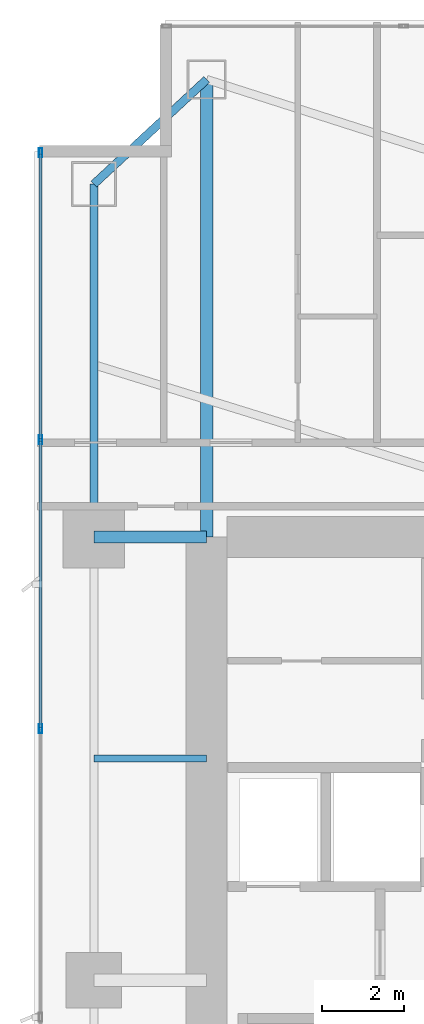
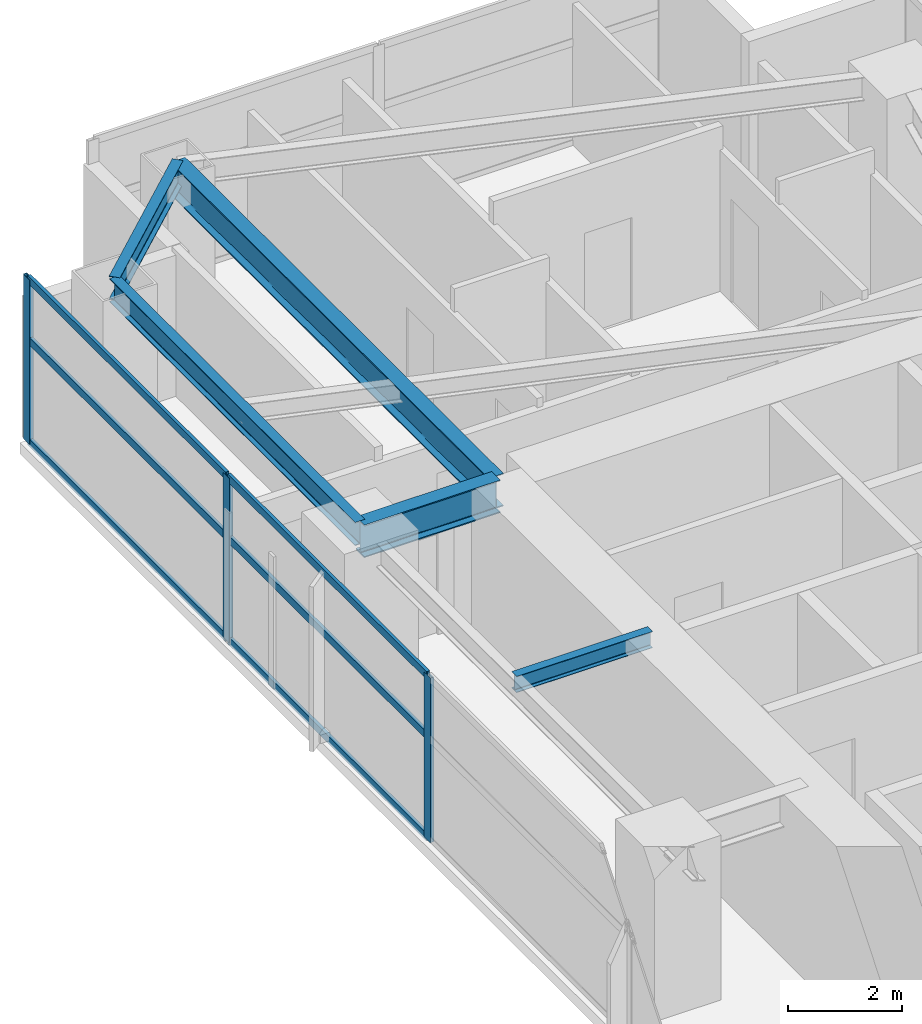
# One storey, part 15 of 28: 9 members, 5 beams, 1 element without a shape of its own.
"""IFC4 building model written with IfcOpenShell, lengths in metres."""

from ifc_helpers import new_model, si_unit, direction, frame, origin, origin_2d, place, context, subcontext, project, spatial, hollow_rectangle, i_section, extrude, material, layer, layer_set, material_profile, profile_set, type_object, element, aggregate, save


model = new_model("IFC4")

# Units and contexts
model_context = context("Model", 3, precision=1e-05, world=origin(), true_north=direction((0.0, 1.0)))
body_context = subcontext(model_context, "Body", "Model", "MODEL_VIEW")
ifc_project = project(units=[si_unit("LENGTHUNIT", "METRE"), si_unit("AREAUNIT", "SQUARE_METRE"), si_unit("VOLUMEUNIT", "CUBIC_METRE"), si_unit("PLANEANGLEUNIT", "RADIAN"), si_unit("MASSUNIT", "GRAM", prefix="KILO")], contexts=[model_context])

# Site, building, storey
site_placement = place(None, origin())
site = spatial("IfcSite", under=ifc_project, at=site_placement, CompositionType="ELEMENT")
building_placement = place(site_placement, origin())
building = spatial("IfcBuilding", under=site, at=building_placement, Name="Calvorn Quay Hotel", CompositionType="ELEMENT")
storey_placement = place(building_placement, frame((0.0, 0.0, 88.800048828125)))
storey = spatial("IfcBuildingStorey", under=building, at=storey_placement, Name="L21", CompositionType="ELEMENT", Elevation=88.800048828125)

# Beams
ifc_material_1 = material(Name="Steel Q390GJC", Category="steel")
ifc_material_profile_1 = material_profile(ifc_material_1, i_section(OverallWidth=0.300048828125, OverallDepth=0.699951171875, WebThickness=0.012939453125, FlangeThickness=0.02392578125, FilletRadius=0.02392578125, at=origin_2d()), Name="HN700x300x13x24")
ifc_profile_set_1 = profile_set([ifc_material_profile_1], Name="Steel Q390GJC")
beam_type_1 = type_object("IfcBeamType", Name="BM-GIRD-MAIN", PredefinedType="BEAM", material=ifc_profile_set_1)
beam_1_placement = place(storey_placement, frame((1.449951171875, 38.39990234375, 3.169921875), z_axis=(1.0, 0.0, 0.0), x_axis=(0.0, 1.0, 0.0)))
element("IfcBeam", 1, at=beam_1_placement, inside=storey, type_object=beam_type_1, Name="Beam BG-L21-W3", PredefinedType="BEAM", context=body_context, shape_type="SweptSolid", body=[
    extrude(i_section(OverallWidth=0.300048828125, OverallDepth=0.699951171875, WebThickness=0.012939453125, FlangeThickness=0.02392578125, FilletRadius=0.02392578125, at=origin_2d()), origin(), (0.0, 0.0, 1.0), 2.75),
])
beam_2_placement = place(storey_placement, frame((4.199951171875, 49.550048828125, 3.169921875), z_axis=(0.0, -1.0, 0.0), x_axis=(1.0, 0.0, 0.0)))
element("IfcBeam", 2, at=beam_2_placement, inside=storey, type_object=beam_type_1, Name="Beam BG-L21-W5", PredefinedType="BEAM", context=body_context, shape_type="SweptSolid", body=[
    extrude(i_section(OverallWidth=0.300048828125, OverallDepth=0.699951171875, WebThickness=0.012939453125, FlangeThickness=0.02392578125, FilletRadius=0.02392578125, at=origin_2d()), origin(), (0.0, 0.0, 1.0), 11.150146484375),
])
ifc_material_2 = material(Name="Steel Q355B", Category="steel")
ifc_material_profile_2 = material_profile(ifc_material_2, i_section(OverallWidth=0.175048828125, OverallDepth=0.35009765625, WebThickness=0.007080078125, FlangeThickness=0.010986328125, FilletRadius=0.013916015625, at=origin_2d()), Name="HN350x175x7x11")
ifc_profile_set_2 = profile_set([ifc_material_profile_2], Name="Steel Q355B")
beam_type_2 = type_object("IfcBeamType", Name="BM-JOIST-SEC", PredefinedType="JOIST", material=ifc_profile_set_2)
beam_3_placement = place(storey_placement, frame((1.449951171875, 33.0, 3.344970703125), z_axis=(1.0, 0.0, 0.0), x_axis=(0.0, 1.0, 0.0)))
element("IfcBeam", 3, at=beam_3_placement, inside=storey, type_object=beam_type_2, Name="Beam BJ-L21-W4", PredefinedType="JOIST", context=body_context, shape_type="SweptSolid", body=[
    extrude(i_section(OverallWidth=0.175048828125, OverallDepth=0.35009765625, WebThickness=0.007080078125, FlangeThickness=0.010986328125, FilletRadius=0.013916015625, at=origin_2d()), origin(), (0.0, 0.0, 1.0), 2.75),
])
ifc_material_3 = material(Name="Steel Q355B", Category="steel")
ifc_material_profile_3 = material_profile(ifc_material_3, i_section(OverallWidth=0.199951171875, OverallDepth=0.5, WebThickness=0.010009765625, FlangeThickness=0.01611328125, FilletRadius=0.01611328125, at=origin_2d()), Name="HN500x200x10x16")
ifc_profile_set_3 = profile_set([ifc_material_profile_3], Name="Steel Q355B")
beam_type_3 = type_object("IfcBeamType", Name="BM-SPANDREL-Z1", PredefinedType="SPANDREL", material=ifc_profile_set_3)
beam_4_placement = place(storey_placement, frame((1.449951171875, 38.39990234375, 3.27001953125), z_axis=(0.0, 1.0, 0.0), x_axis=(-1.0, 0.0, 0.0)))
element("IfcBeam", 4, at=beam_4_placement, inside=storey, type_object=beam_type_3, Name="Beam BSP-L21-W4", PredefinedType="SPANDREL", context=body_context, shape_type="SweptSolid", body=[
    extrude(i_section(OverallWidth=0.199951171875, OverallDepth=0.5, WebThickness=0.010009765625, FlangeThickness=0.01611328125, FilletRadius=0.01611328125, at=origin_2d()), origin(), (0.0, 0.0, 1.0), 8.60009765625),
])
beam_5_placement = place(storey_placement, frame((1.449951171875, 47.0, 3.27001953125), z_axis=(0.733261665538, 0.679946563969, 0.0), x_axis=(-0.679946563969, 0.733261665538, 0.0)))
element("IfcBeam", 5, at=beam_5_placement, inside=storey, type_object=beam_type_3, Name="Beam BSP-L21-W5", PredefinedType="SPANDREL", context=body_context, shape_type="SweptSolid", body=[
    extrude(i_section(OverallWidth=0.199951171875, OverallDepth=0.5, WebThickness=0.010009765625, FlangeThickness=0.01611328125, FilletRadius=0.01611328125, at=origin_2d()), origin(), (0.0, 0.0, 1.0), 3.75048828125),
])

# Curtain wall, members
ifc_material_4 = material(Name="Pale Anodised Aluminium and Low-E Glass", Category="aluminium")
ifc_layer = layer(ifc_material_4, 0.219970703125)
ifc_layer_set = layer_set([ifc_layer], Name="CW-SYS-Z1")
curtain_wall_type = type_object("IfcCurtainWallType", Name="CW-SYS-Z1", PredefinedType="NOTDEFINED", material=ifc_layer_set)
curtain_wall_placement = place(storey_placement, origin())
curtain_wall = element("IfcCurtainWall", 6, at=curtain_wall_placement, inside=storey, type_object=curtain_wall_type, Name="Tower West Curtain Wall (L21)", PredefinedType="NOTDEFINED")
ifc_material_5 = material(Name="Pale Anodised Aluminium 6063-T6", Category="aluminium")
ifc_material_profile_4 = material_profile(ifc_material_5, hollow_rectangle(XDim=0.074951171875, YDim=0.219970703125, WallThickness=0.00439453125, at=origin_2d()), Name="ALU-M220x75x4.5")
ifc_profile_set_4 = profile_set([ifc_material_profile_4], Name="Pale Anodised Aluminium 6063-T6")
member_type_1 = type_object("IfcMemberType", Name="CW-SYS-Z1-MUL", PredefinedType="MULLION", material=ifc_profile_set_4)
member_1_placement = place(storey_placement, frame((0.14990234375, 33.7333984375, 0.0), z_axis=(0.0, 0.0, 1.0), x_axis=(-1.0, 0.0, 0.0)))
member_1 = element("IfcMember", 7, at=member_1_placement, type_object=member_type_1, Name="CW-L21-W mullion 5", PredefinedType="MULLION", context=body_context, shape_type="SweptSolid", body=[
    extrude(hollow_rectangle(XDim=0.074951171875, YDim=0.219970703125, WallThickness=0.00439453125, at=origin_2d()), origin(), (0.0, 0.0, 1.0), 3.52001953125),
])
member_2_placement = place(storey_placement, frame((0.14990234375, 40.7666015625, 0.0), z_axis=(0.0, 0.0, 1.0), x_axis=(-1.0, 0.0, 0.0)))
member_2 = element("IfcMember", 8, at=member_2_placement, type_object=member_type_1, Name="CW-L21-W mullion 6", PredefinedType="MULLION", context=body_context, shape_type="SweptSolid", body=[
    extrude(hollow_rectangle(XDim=0.074951171875, YDim=0.219970703125, WallThickness=0.00439453125, at=origin_2d()), origin(), (0.0, 0.0, 1.0), 3.52001953125),
])
member_3_placement = place(storey_placement, frame((0.14990234375, 47.77001953125, 0.0), z_axis=(0.0, 0.0, 1.0), x_axis=(-1.0, 0.0, 0.0)))
member_3 = element("IfcMember", 9, at=member_3_placement, type_object=member_type_1, Name="CW-L21-W mullion 7", PredefinedType="MULLION", context=body_context, shape_type="SweptSolid", body=[
    extrude(hollow_rectangle(XDim=0.074951171875, YDim=0.219970703125, WallThickness=0.00439453125, at=origin_2d()), origin(), (0.0, 0.0, 1.0), 3.52001953125),
])
ifc_material_6 = material(Name="Pale Anodised Aluminium 6063-T6", Category="aluminium")
ifc_material_profile_5 = material_profile(ifc_material_6, hollow_rectangle(XDim=0.06494140625, YDim=0.1650390625, WallThickness=0.00341796875, at=origin_2d()), Name="ALU-T165x65x3.5")
ifc_profile_set_5 = profile_set([ifc_material_profile_5], Name="Pale Anodised Aluminium 6063-T6")
member_type_2 = type_object("IfcMemberType", Name="CW-SYS-Z1-TRN", PredefinedType="USERDEFINED", material=ifc_profile_set_5)
member_4_placement = place(storey_placement, frame((0.14990234375, 33.763427734375, 0.030029296875), z_axis=(0.0, 1.0, 0.0), x_axis=(-1.0, 0.0, 0.0)))
member_4 = element("IfcMember", 10, at=member_4_placement, type_object=member_type_2, Name="CW-L21-W transom 5.1", ObjectType="TRANSOM", PredefinedType="USERDEFINED", context=body_context, shape_type="SweptSolid", body=[
    extrude(hollow_rectangle(XDim=0.06494140625, YDim=0.1650390625, WallThickness=0.00341796875, at=origin_2d()), origin(), (0.0, 0.0, 1.0), 6.97314453125),
])
member_5_placement = place(storey_placement, frame((0.14990234375, 33.763427734375, 2.199951171875), z_axis=(0.0, 1.0, 0.0), x_axis=(-1.0, 0.0, 0.0)))
member_5 = element("IfcMember", 11, at=member_5_placement, type_object=member_type_2, Name="CW-L21-W transom 5.2", ObjectType="TRANSOM", PredefinedType="USERDEFINED", context=body_context, shape_type="SweptSolid", body=[
    extrude(hollow_rectangle(XDim=0.06494140625, YDim=0.1650390625, WallThickness=0.00341796875, at=origin_2d()), origin(), (0.0, 0.0, 1.0), 6.97314453125),
])
member_6_placement = place(storey_placement, frame((0.14990234375, 33.763427734375, 3.489990234375), z_axis=(0.0, 1.0, 0.0), x_axis=(-1.0, 0.0, 0.0)))
member_6 = element("IfcMember", 12, at=member_6_placement, type_object=member_type_2, Name="CW-L21-W transom 5.3", ObjectType="TRANSOM", PredefinedType="USERDEFINED", context=body_context, shape_type="SweptSolid", body=[
    extrude(hollow_rectangle(XDim=0.06494140625, YDim=0.1650390625, WallThickness=0.00341796875, at=origin_2d()), origin(), (0.0, 0.0, 1.0), 6.97314453125),
])
member_7_placement = place(storey_placement, frame((0.14990234375, 40.796630859375, 0.030029296875), z_axis=(0.0, 1.0, 0.0), x_axis=(-1.0, 0.0, 0.0)))
member_7 = element("IfcMember", 13, at=member_7_placement, type_object=member_type_2, Name="CW-L21-W transom 6.1", ObjectType="TRANSOM", PredefinedType="USERDEFINED", context=body_context, shape_type="SweptSolid", body=[
    extrude(hollow_rectangle(XDim=0.06494140625, YDim=0.1650390625, WallThickness=0.00341796875, at=origin_2d()), origin(), (0.0, 0.0, 1.0), 6.943359375),
])
member_8_placement = place(storey_placement, frame((0.14990234375, 40.796630859375, 2.199951171875), z_axis=(0.0, 1.0, 0.0), x_axis=(-1.0, 0.0, 0.0)))
member_8 = element("IfcMember", 14, at=member_8_placement, type_object=member_type_2, Name="CW-L21-W transom 6.2", ObjectType="TRANSOM", PredefinedType="USERDEFINED", context=body_context, shape_type="SweptSolid", body=[
    extrude(hollow_rectangle(XDim=0.06494140625, YDim=0.1650390625, WallThickness=0.00341796875, at=origin_2d()), origin(), (0.0, 0.0, 1.0), 6.943359375),
])
member_9_placement = place(storey_placement, frame((0.14990234375, 40.796630859375, 3.489990234375), z_axis=(0.0, 1.0, 0.0), x_axis=(-1.0, 0.0, 0.0)))
member_9 = element("IfcMember", 15, at=member_9_placement, type_object=member_type_2, Name="CW-L21-W transom 6.3", ObjectType="TRANSOM", PredefinedType="USERDEFINED", context=body_context, shape_type="SweptSolid", body=[
    extrude(hollow_rectangle(XDim=0.06494140625, YDim=0.1650390625, WallThickness=0.00341796875, at=origin_2d()), origin(), (0.0, 0.0, 1.0), 6.943359375),
])
aggregate(curtain_wall, [member_1, member_2, member_3, member_4, member_5, member_6, member_7, member_8, member_9])

save(model, "model.ifc")
